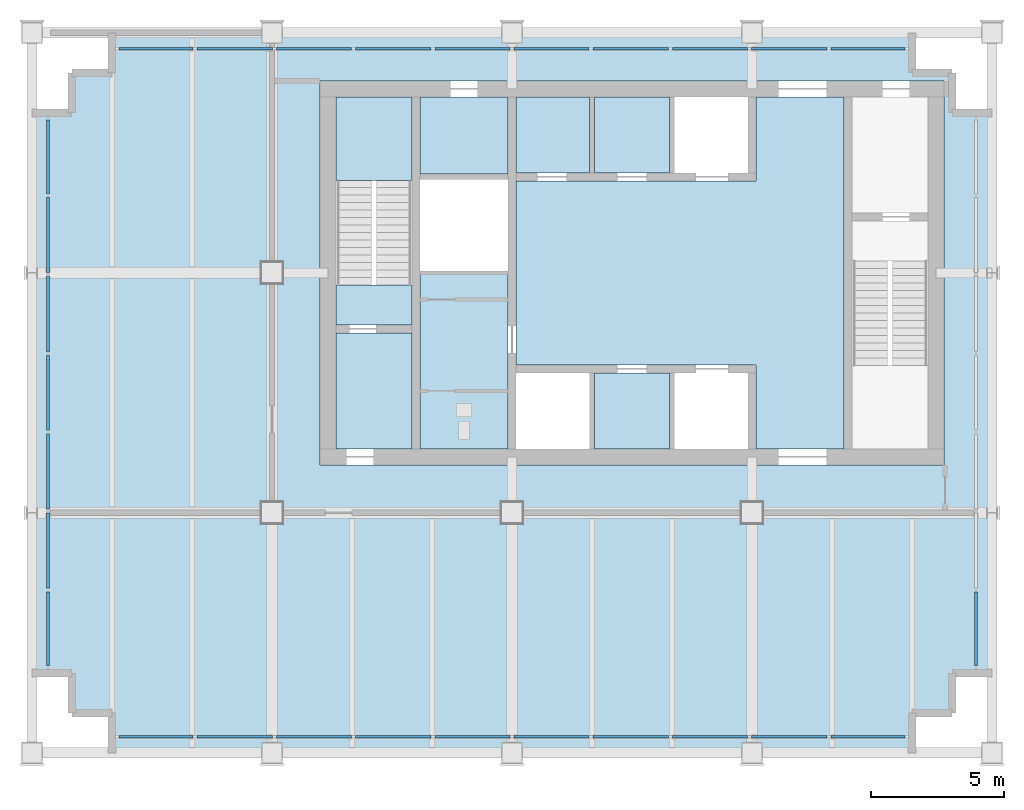
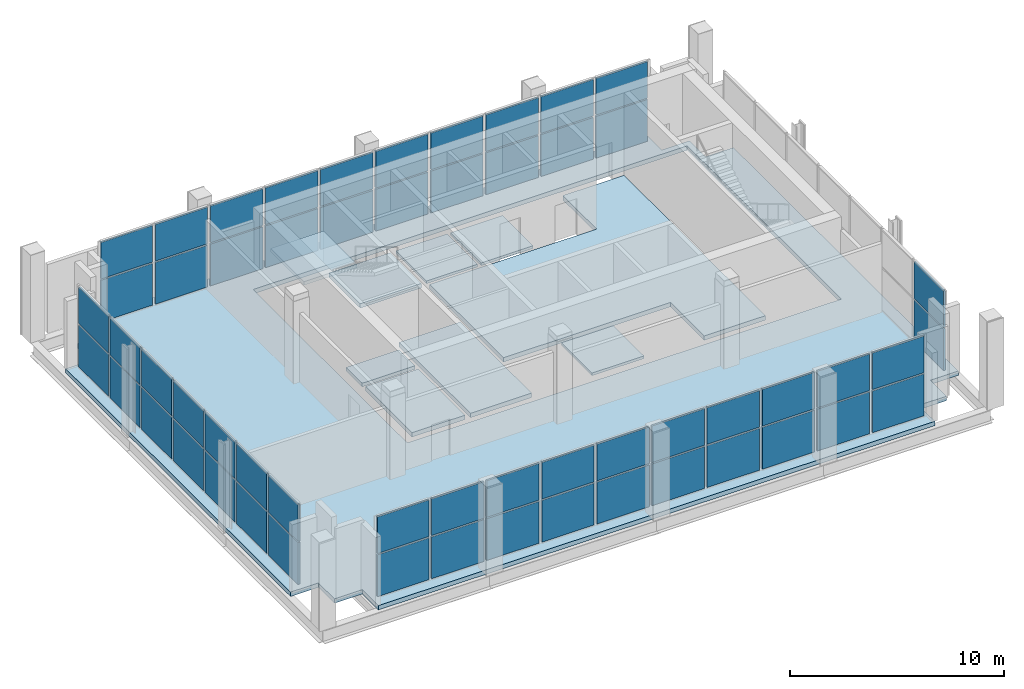
# One storey, part 6 of 10: 56 plates, 10 slabs, 5 elements without a shape of their own.
"""IFC4 building model written with IfcOpenShell, lengths in metres."""

from ifc_helpers import new_model, si_unit, direction, frame, origin, origin_2d, place, context, subcontext, project, spatial, polyline, rectangle, outline, extrude, material, layer, layer_set, type_object, element, aggregate, save


model = new_model("IFC4")

# Units and contexts
model_context = context("Model", 3, precision=1e-05, world=origin(), true_north=direction((0.0, 1.0)))
body_context = subcontext(model_context, "Body", "Model", "MODEL_VIEW")
ifc_project = project(units=[si_unit("LENGTHUNIT", "METRE"), si_unit("AREAUNIT", "SQUARE_METRE"), si_unit("VOLUMEUNIT", "CUBIC_METRE"), si_unit("PLANEANGLEUNIT", "RADIAN"), si_unit("MASSUNIT", "GRAM", prefix="KILO")], contexts=[model_context])

# Site, building, storey
site_placement = place(None, origin())
site = spatial("IfcSite", under=ifc_project, at=site_placement, CompositionType="ELEMENT")
building_placement = place(site_placement, origin())
building = spatial("IfcBuilding", under=site, at=building_placement, Name="Loomwork Tower", CompositionType="ELEMENT")
storey_placement = place(building_placement, frame((0.0, 0.0, 274.800048828125)))
storey = spatial("IfcBuildingStorey", under=building, at=storey_placement, Name="L75", CompositionType="ELEMENT", Elevation=274.800048828125)

# Slabs
ifc_material_1 = material(Name="Concrete 5000 psi (34 MPa) on composite metal deck", Category="concrete")
ifc_layer_1 = layer(ifc_material_1, 0.25)
ifc_layer_set_1 = layer_set([ifc_layer_1], Name="Floor slab 250")
slab_type_1 = type_object("IfcSlabType", Name="Floor slab 250", PredefinedType="FLOOR", material=ifc_layer_set_1)
slab_1_placement = place(storey_placement, frame((0.0, 0.0, -0.25)))
element("IfcSlab", 1, at=slab_1_placement, inside=storey, type_object=slab_type_1, Name="Floor slab L75", PredefinedType="FLOOR", context=body_context, shape_type="SweptSolid", body=[
    extrude(outline(polyline([(3.0, 1.5), (1.5, 1.5), (1.5, 3.0), (0.0, 3.0), (0.0, 24.0), (1.5, 24.0), (1.5, 25.5), (3.0, 25.5), (3.0, 27.0), (33.0, 27.0), (33.0, 25.5), (34.5, 25.5), (34.5, 24.0), (36.0, 24.0), (36.0, 3.0), (34.5, 3.0), (34.5, 1.5), (33.0, 1.5), (33.0, 0.0), (3.0, 0.0), (3.0, 1.5)]), holes=[polyline([(10.800048828125, 11.39990234375), (10.800048828125, 11.39990234375), (10.800048828125, 10.800048828125), (34.199951171875, 10.800048828125), (34.199951171875, 11.39990234375), (34.199951171875, 11.39990234375), (34.199951171875, 24.60009765625), (34.199951171875, 25.199951171875), (10.800048828125, 25.199951171875), (10.800048828125, 24.60009765625), (10.800048828125, 11.39990234375)])]), origin(), (0.0, 0.0, 1.0), 0.25),
])
slab_2_placement = place(storey_placement, frame((0.0, 0.0, -0.25)))
element("IfcSlab", 2, at=slab_2_placement, inside=storey, type_object=slab_type_1, Name="Floor slab L75", PredefinedType="FLOOR", context=body_context, shape_type="SweptSolid", body=[
    extrude(outline(polyline([(30.449951171875, 24.60009765625), (30.449951171875, 11.39990234375), (27.14990234375, 11.39990234375), (27.14990234375, 14.25), (27.14990234375, 14.550048828125), (18.14990234375, 14.550048828125), (18.14990234375, 21.449951171875), (27.14990234375, 21.449951171875), (27.14990234375, 21.75), (27.14990234375, 24.60009765625), (30.449951171875, 24.60009765625)])), origin(), (0.0, 0.0, 1.0), 0.25),
])
slab_3_placement = place(storey_placement, frame((0.0, 0.0, -0.25)))
element("IfcSlab", 3, at=slab_3_placement, inside=storey, type_object=slab_type_1, Name="Floor slab L75", PredefinedType="FLOOR", context=body_context, shape_type="SweptSolid", body=[
    extrude(outline(polyline([(14.550048828125, 11.39990234375), (14.550048828125, 18.074951171875), (17.85009765625, 18.074951171875), (17.85009765625, 11.39990234375), (14.550048828125, 11.39990234375)])), origin(), (0.0, 0.0, 1.0), 0.25),
])
slab_4_placement = place(storey_placement, frame((0.0, 0.0, -0.25)))
element("IfcSlab", 4, at=slab_4_placement, inside=storey, type_object=slab_type_1, Name="Floor slab L75", PredefinedType="FLOOR", context=body_context, shape_type="SweptSolid", body=[
    extrude(outline(polyline([(14.25, 15.75), (14.25, 11.39990234375), (11.39990234375, 11.39990234375), (11.39990234375, 15.75), (14.25, 15.75)])), origin(), (0.0, 0.0, 1.0), 0.25),
])
slab_5_placement = place(storey_placement, frame((0.0, 0.0, -0.25)))
element("IfcSlab", 5, at=slab_5_placement, inside=storey, type_object=slab_type_1, Name="Floor slab L75", PredefinedType="FLOOR", context=body_context, shape_type="SweptSolid", body=[
    extrude(outline(polyline([(14.550048828125, 21.699951171875), (14.550048828125, 24.60009765625), (17.85009765625, 24.60009765625), (17.85009765625, 21.699951171875), (14.550048828125, 21.699951171875)])), origin(), (0.0, 0.0, 1.0), 0.25),
])

# Curtain wall, plates
ifc_material_2 = material(Name="Aluminium louvre frame", Category="aluminium")
curtain_wall_type = type_object("IfcCurtainWallType", Name="Plant floor louvre screen", PredefinedType="NOTDEFINED", material=ifc_material_2)
curtain_wall_1_placement = place(storey_placement, origin())
curtain_wall_1 = element("IfcCurtainWall", 6, at=curtain_wall_1_placement, inside=storey, type_object=curtain_wall_type, Name="Plant floor louvre screen cw/S", PredefinedType="NOTDEFINED")
ifc_material_3 = material(Name="Aluminium louvre blade panel", Category="aluminium")
ifc_layer_2 = layer(ifc_material_3, 0.10009765625)
ifc_layer_set_2 = layer_set([ifc_layer_2], Name="Plant floor louvre screen panel")
plate_type = type_object("IfcPlateType", Name="Plant floor louvre screen panel", PredefinedType="CURTAIN_PANEL", material=ifc_layer_set_2)
plate_1_placement = place(storey_placement, frame((4.655029296875, 0.60009765625, 0.080078125), z_axis=(0.0, 0.0, 1.0), x_axis=(1.0, 0.0, 0.0)))
plate_1 = element("IfcPlate", 7, at=plate_1_placement, type_object=plate_type, Name="CW4 panel 1.1", PredefinedType="CURTAIN_PANEL", context=body_context, shape_type="SweptSolid", body=[
    extrude(rectangle(XDim=2.780029296875, YDim=0.10009765625, at=origin_2d()), origin(), (0.0, 0.0, 1.0), 2.3798828125),
])
plate_2_placement = place(storey_placement, frame((4.655029296875, 0.60009765625, 2.539794921875), z_axis=(0.0, 0.0, 1.0), x_axis=(1.0, 0.0, 0.0)))
plate_2 = element("IfcPlate", 8, at=plate_2_placement, type_object=plate_type, Name="CW4 panel 1.2", PredefinedType="CURTAIN_PANEL", context=body_context, shape_type="SweptSolid", body=[
    extrude(rectangle(XDim=2.780029296875, YDim=0.10009765625, at=origin_2d()), origin(), (0.0, 0.0, 1.0), 2.080078125),
])
plate_3_placement = place(storey_placement, frame((7.60498046875, 0.60009765625, 0.080078125), z_axis=(0.0, 0.0, 1.0), x_axis=(1.0, 0.0, 0.0)))
plate_3 = element("IfcPlate", 9, at=plate_3_placement, type_object=plate_type, Name="CW4 panel 2.1", PredefinedType="CURTAIN_PANEL", context=body_context, shape_type="SweptSolid", body=[
    extrude(rectangle(XDim=2.820068359375, YDim=0.10009765625, at=origin_2d()), origin(), (0.0, 0.0, 1.0), 2.3798828125),
])
plate_4_placement = place(storey_placement, frame((7.60498046875, 0.60009765625, 2.539794921875), z_axis=(0.0, 0.0, 1.0), x_axis=(1.0, 0.0, 0.0)))
plate_4 = element("IfcPlate", 10, at=plate_4_placement, type_object=plate_type, Name="CW4 panel 2.2", PredefinedType="CURTAIN_PANEL", context=body_context, shape_type="SweptSolid", body=[
    extrude(rectangle(XDim=2.820068359375, YDim=0.10009765625, at=origin_2d()), origin(), (0.0, 0.0, 1.0), 2.080078125),
])
plate_5_placement = place(storey_placement, frame((10.574951171875, 0.60009765625, 0.080078125), z_axis=(0.0, 0.0, 1.0), x_axis=(1.0, 0.0, 0.0)))
plate_5 = element("IfcPlate", 11, at=plate_5_placement, type_object=plate_type, Name="CW4 panel 3.1", PredefinedType="CURTAIN_PANEL", context=body_context, shape_type="SweptSolid", body=[
    extrude(rectangle(XDim=2.820068359375, YDim=0.10009765625, at=origin_2d()), origin(), (0.0, 0.0, 1.0), 2.3798828125),
])
plate_6_placement = place(storey_placement, frame((10.574951171875, 0.60009765625, 2.539794921875), z_axis=(0.0, 0.0, 1.0), x_axis=(1.0, 0.0, 0.0)))
plate_6 = element("IfcPlate", 12, at=plate_6_placement, type_object=plate_type, Name="CW4 panel 3.2", PredefinedType="CURTAIN_PANEL", context=body_context, shape_type="SweptSolid", body=[
    extrude(rectangle(XDim=2.820068359375, YDim=0.10009765625, at=origin_2d()), origin(), (0.0, 0.0, 1.0), 2.080078125),
])
plate_7_placement = place(storey_placement, frame((13.544921875, 0.60009765625, 0.080078125), z_axis=(0.0, 0.0, 1.0), x_axis=(1.0, 0.0, 0.0)))
plate_7 = element("IfcPlate", 13, at=plate_7_placement, type_object=plate_type, Name="CW4 panel 4.1", PredefinedType="CURTAIN_PANEL", context=body_context, shape_type="SweptSolid", body=[
    extrude(rectangle(XDim=2.820068359375, YDim=0.10009765625, at=origin_2d()), origin(), (0.0, 0.0, 1.0), 2.3798828125),
])
plate_8_placement = place(storey_placement, frame((13.544921875, 0.60009765625, 2.539794921875), z_axis=(0.0, 0.0, 1.0), x_axis=(1.0, 0.0, 0.0)))
plate_8 = element("IfcPlate", 14, at=plate_8_placement, type_object=plate_type, Name="CW4 panel 4.2", PredefinedType="CURTAIN_PANEL", context=body_context, shape_type="SweptSolid", body=[
    extrude(rectangle(XDim=2.820068359375, YDim=0.10009765625, at=origin_2d()), origin(), (0.0, 0.0, 1.0), 2.080078125),
])
plate_9_placement = place(storey_placement, frame((16.514892578125, 0.60009765625, 0.080078125), z_axis=(0.0, 0.0, 1.0), x_axis=(1.0, 0.0, 0.0)))
plate_9 = element("IfcPlate", 15, at=plate_9_placement, type_object=plate_type, Name="CW4 panel 5.1", PredefinedType="CURTAIN_PANEL", context=body_context, shape_type="SweptSolid", body=[
    extrude(rectangle(XDim=2.820068359375, YDim=0.10009765625, at=origin_2d()), origin(), (0.0, 0.0, 1.0), 2.3798828125),
])
plate_10_placement = place(storey_placement, frame((16.514892578125, 0.60009765625, 2.539794921875), z_axis=(0.0, 0.0, 1.0), x_axis=(1.0, 0.0, 0.0)))
plate_10 = element("IfcPlate", 16, at=plate_10_placement, type_object=plate_type, Name="CW4 panel 5.2", PredefinedType="CURTAIN_PANEL", context=body_context, shape_type="SweptSolid", body=[
    extrude(rectangle(XDim=2.820068359375, YDim=0.10009765625, at=origin_2d()), origin(), (0.0, 0.0, 1.0), 2.080078125),
])
plate_11_placement = place(storey_placement, frame((19.485107421875, 0.60009765625, 0.080078125), z_axis=(0.0, 0.0, 1.0), x_axis=(1.0, 0.0, 0.0)))
plate_11 = element("IfcPlate", 17, at=plate_11_placement, type_object=plate_type, Name="CW4 panel 6.1", PredefinedType="CURTAIN_PANEL", context=body_context, shape_type="SweptSolid", body=[
    extrude(rectangle(XDim=2.820068359375, YDim=0.10009765625, at=origin_2d()), origin(), (0.0, 0.0, 1.0), 2.3798828125),
])
plate_12_placement = place(storey_placement, frame((19.485107421875, 0.60009765625, 2.539794921875), z_axis=(0.0, 0.0, 1.0), x_axis=(1.0, 0.0, 0.0)))
plate_12 = element("IfcPlate", 18, at=plate_12_placement, type_object=plate_type, Name="CW4 panel 6.2", PredefinedType="CURTAIN_PANEL", context=body_context, shape_type="SweptSolid", body=[
    extrude(rectangle(XDim=2.820068359375, YDim=0.10009765625, at=origin_2d()), origin(), (0.0, 0.0, 1.0), 2.080078125),
])
plate_13_placement = place(storey_placement, frame((22.455078125, 0.60009765625, 0.080078125), z_axis=(0.0, 0.0, 1.0), x_axis=(1.0, 0.0, 0.0)))
plate_13 = element("IfcPlate", 19, at=plate_13_placement, type_object=plate_type, Name="CW4 panel 7.1", PredefinedType="CURTAIN_PANEL", context=body_context, shape_type="SweptSolid", body=[
    extrude(rectangle(XDim=2.820068359375, YDim=0.10009765625, at=origin_2d()), origin(), (0.0, 0.0, 1.0), 2.3798828125),
])
plate_14_placement = place(storey_placement, frame((22.455078125, 0.60009765625, 2.539794921875), z_axis=(0.0, 0.0, 1.0), x_axis=(1.0, 0.0, 0.0)))
plate_14 = element("IfcPlate", 20, at=plate_14_placement, type_object=plate_type, Name="CW4 panel 7.2", PredefinedType="CURTAIN_PANEL", context=body_context, shape_type="SweptSolid", body=[
    extrude(rectangle(XDim=2.820068359375, YDim=0.10009765625, at=origin_2d()), origin(), (0.0, 0.0, 1.0), 2.080078125),
])
plate_15_placement = place(storey_placement, frame((25.425048828125, 0.60009765625, 0.080078125), z_axis=(0.0, 0.0, 1.0), x_axis=(1.0, 0.0, 0.0)))
plate_15 = element("IfcPlate", 21, at=plate_15_placement, type_object=plate_type, Name="CW4 panel 8.1", PredefinedType="CURTAIN_PANEL", context=body_context, shape_type="SweptSolid", body=[
    extrude(rectangle(XDim=2.820068359375, YDim=0.10009765625, at=origin_2d()), origin(), (0.0, 0.0, 1.0), 2.3798828125),
])
plate_16_placement = place(storey_placement, frame((25.425048828125, 0.60009765625, 2.539794921875), z_axis=(0.0, 0.0, 1.0), x_axis=(1.0, 0.0, 0.0)))
plate_16 = element("IfcPlate", 22, at=plate_16_placement, type_object=plate_type, Name="CW4 panel 8.2", PredefinedType="CURTAIN_PANEL", context=body_context, shape_type="SweptSolid", body=[
    extrude(rectangle(XDim=2.820068359375, YDim=0.10009765625, at=origin_2d()), origin(), (0.0, 0.0, 1.0), 2.080078125),
])
plate_17_placement = place(storey_placement, frame((28.39501953125, 0.60009765625, 0.080078125), z_axis=(0.0, 0.0, 1.0), x_axis=(1.0, 0.0, 0.0)))
plate_17 = element("IfcPlate", 23, at=plate_17_placement, type_object=plate_type, Name="CW4 panel 9.1", PredefinedType="CURTAIN_PANEL", context=body_context, shape_type="SweptSolid", body=[
    extrude(rectangle(XDim=2.820068359375, YDim=0.10009765625, at=origin_2d()), origin(), (0.0, 0.0, 1.0), 2.3798828125),
])
plate_18_placement = place(storey_placement, frame((28.39501953125, 0.60009765625, 2.539794921875), z_axis=(0.0, 0.0, 1.0), x_axis=(1.0, 0.0, 0.0)))
plate_18 = element("IfcPlate", 24, at=plate_18_placement, type_object=plate_type, Name="CW4 panel 9.2", PredefinedType="CURTAIN_PANEL", context=body_context, shape_type="SweptSolid", body=[
    extrude(rectangle(XDim=2.820068359375, YDim=0.10009765625, at=origin_2d()), origin(), (0.0, 0.0, 1.0), 2.080078125),
])
plate_19_placement = place(storey_placement, frame((31.344970703125, 0.60009765625, 0.080078125), z_axis=(0.0, 0.0, 1.0), x_axis=(1.0, 0.0, 0.0)))
plate_19 = element("IfcPlate", 25, at=plate_19_placement, type_object=plate_type, Name="CW4 panel 10.1", PredefinedType="CURTAIN_PANEL", context=body_context, shape_type="SweptSolid", body=[
    extrude(rectangle(XDim=2.780029296875, YDim=0.10009765625, at=origin_2d()), origin(), (0.0, 0.0, 1.0), 2.3798828125),
])
plate_20_placement = place(storey_placement, frame((31.344970703125, 0.60009765625, 2.539794921875), z_axis=(0.0, 0.0, 1.0), x_axis=(1.0, 0.0, 0.0)))
plate_20 = element("IfcPlate", 26, at=plate_20_placement, type_object=plate_type, Name="CW4 panel 10.2", PredefinedType="CURTAIN_PANEL", context=body_context, shape_type="SweptSolid", body=[
    extrude(rectangle(XDim=2.780029296875, YDim=0.10009765625, at=origin_2d()), origin(), (0.0, 0.0, 1.0), 2.080078125),
])
aggregate(curtain_wall_1, [plate_1, plate_2, plate_3, plate_4, plate_5, plate_6, plate_7, plate_8, plate_9, plate_10, plate_11, plate_12, plate_13, plate_14, plate_15, plate_16, plate_17, plate_18, plate_19, plate_20])

curtain_wall_2_placement = place(storey_placement, origin())
curtain_wall_2 = element("IfcCurtainWall", 27, at=curtain_wall_2_placement, inside=storey, type_object=curtain_wall_type, Name="Plant floor louvre screen cw/E", PredefinedType="NOTDEFINED")
plate_21_placement = place(storey_placement, frame((35.39990234375, 4.648681640625, 0.080078125), z_axis=(0.0, 0.0, 1.0), x_axis=(0.0, 1.0, 0.0)))
plate_21 = element("IfcPlate", 28, at=plate_21_placement, type_object=plate_type, Name="CW4 panel 1.1", PredefinedType="CURTAIN_PANEL", context=body_context, shape_type="SweptSolid", body=[
    extrude(rectangle(XDim=2.76708984375, YDim=0.10009765625, at=origin_2d()), origin(), (0.0, 0.0, 1.0), 2.3798828125),
])
plate_22_placement = place(storey_placement, frame((35.39990234375, 4.648681640625, 2.539794921875), z_axis=(0.0, 0.0, 1.0), x_axis=(0.0, 1.0, 0.0)))
plate_22 = element("IfcPlate", 29, at=plate_22_placement, type_object=plate_type, Name="CW4 panel 1.2", PredefinedType="CURTAIN_PANEL", context=body_context, shape_type="SweptSolid", body=[
    extrude(rectangle(XDim=2.76708984375, YDim=0.10009765625, at=origin_2d()), origin(), (0.0, 0.0, 1.0), 2.080078125),
])
aggregate(curtain_wall_2, [plate_21, plate_22])

curtain_wall_3_placement = place(storey_placement, origin())
curtain_wall_3 = element("IfcCurtainWall", 30, at=curtain_wall_3_placement, inside=storey, type_object=curtain_wall_type, Name="Plant floor louvre screen cw/N", PredefinedType="NOTDEFINED")
plate_23_placement = place(storey_placement, frame((31.344970703125, 26.39990234375, 0.080078125), z_axis=(0.0, 0.0, 1.0), x_axis=(-1.0, 0.0, 0.0)))
plate_23 = element("IfcPlate", 31, at=plate_23_placement, type_object=plate_type, Name="CW4 panel 1.1", PredefinedType="CURTAIN_PANEL", context=body_context, shape_type="SweptSolid", body=[
    extrude(rectangle(XDim=2.780029296875, YDim=0.10009765625, at=origin_2d()), origin(), (0.0, 0.0, 1.0), 2.3798828125),
])
plate_24_placement = place(storey_placement, frame((31.344970703125, 26.39990234375, 2.539794921875), z_axis=(0.0, 0.0, 1.0), x_axis=(-1.0, 0.0, 0.0)))
plate_24 = element("IfcPlate", 32, at=plate_24_placement, type_object=plate_type, Name="CW4 panel 1.2", PredefinedType="CURTAIN_PANEL", context=body_context, shape_type="SweptSolid", body=[
    extrude(rectangle(XDim=2.780029296875, YDim=0.10009765625, at=origin_2d()), origin(), (0.0, 0.0, 1.0), 2.080078125),
])
plate_25_placement = place(storey_placement, frame((28.39501953125, 26.39990234375, 0.080078125), z_axis=(0.0, 0.0, 1.0), x_axis=(-1.0, 0.0, 0.0)))
plate_25 = element("IfcPlate", 33, at=plate_25_placement, type_object=plate_type, Name="CW4 panel 2.1", PredefinedType="CURTAIN_PANEL", context=body_context, shape_type="SweptSolid", body=[
    extrude(rectangle(XDim=2.820068359375, YDim=0.10009765625, at=origin_2d()), origin(), (0.0, 0.0, 1.0), 2.3798828125),
])
plate_26_placement = place(storey_placement, frame((28.39501953125, 26.39990234375, 2.539794921875), z_axis=(0.0, 0.0, 1.0), x_axis=(-1.0, 0.0, 0.0)))
plate_26 = element("IfcPlate", 34, at=plate_26_placement, type_object=plate_type, Name="CW4 panel 2.2", PredefinedType="CURTAIN_PANEL", context=body_context, shape_type="SweptSolid", body=[
    extrude(rectangle(XDim=2.820068359375, YDim=0.10009765625, at=origin_2d()), origin(), (0.0, 0.0, 1.0), 2.080078125),
])
plate_27_placement = place(storey_placement, frame((25.425048828125, 26.39990234375, 0.080078125), z_axis=(0.0, 0.0, 1.0), x_axis=(-1.0, 0.0, 0.0)))
plate_27 = element("IfcPlate", 35, at=plate_27_placement, type_object=plate_type, Name="CW4 panel 3.1", PredefinedType="CURTAIN_PANEL", context=body_context, shape_type="SweptSolid", body=[
    extrude(rectangle(XDim=2.820068359375, YDim=0.10009765625, at=origin_2d()), origin(), (0.0, 0.0, 1.0), 2.3798828125),
])
plate_28_placement = place(storey_placement, frame((25.425048828125, 26.39990234375, 2.539794921875), z_axis=(0.0, 0.0, 1.0), x_axis=(-1.0, 0.0, 0.0)))
plate_28 = element("IfcPlate", 36, at=plate_28_placement, type_object=plate_type, Name="CW4 panel 3.2", PredefinedType="CURTAIN_PANEL", context=body_context, shape_type="SweptSolid", body=[
    extrude(rectangle(XDim=2.820068359375, YDim=0.10009765625, at=origin_2d()), origin(), (0.0, 0.0, 1.0), 2.080078125),
])
plate_29_placement = place(storey_placement, frame((22.455078125, 26.39990234375, 0.080078125), z_axis=(0.0, 0.0, 1.0), x_axis=(-1.0, 0.0, 0.0)))
plate_29 = element("IfcPlate", 37, at=plate_29_placement, type_object=plate_type, Name="CW4 panel 4.1", PredefinedType="CURTAIN_PANEL", context=body_context, shape_type="SweptSolid", body=[
    extrude(rectangle(XDim=2.820068359375, YDim=0.10009765625, at=origin_2d()), origin(), (0.0, 0.0, 1.0), 2.3798828125),
])
plate_30_placement = place(storey_placement, frame((22.455078125, 26.39990234375, 2.539794921875), z_axis=(0.0, 0.0, 1.0), x_axis=(-1.0, 0.0, 0.0)))
plate_30 = element("IfcPlate", 38, at=plate_30_placement, type_object=plate_type, Name="CW4 panel 4.2", PredefinedType="CURTAIN_PANEL", context=body_context, shape_type="SweptSolid", body=[
    extrude(rectangle(XDim=2.820068359375, YDim=0.10009765625, at=origin_2d()), origin(), (0.0, 0.0, 1.0), 2.080078125),
])
plate_31_placement = place(storey_placement, frame((19.485107421875, 26.39990234375, 0.080078125), z_axis=(0.0, 0.0, 1.0), x_axis=(-1.0, 0.0, 0.0)))
plate_31 = element("IfcPlate", 39, at=plate_31_placement, type_object=plate_type, Name="CW4 panel 5.1", PredefinedType="CURTAIN_PANEL", context=body_context, shape_type="SweptSolid", body=[
    extrude(rectangle(XDim=2.820068359375, YDim=0.10009765625, at=origin_2d()), origin(), (0.0, 0.0, 1.0), 2.3798828125),
])
plate_32_placement = place(storey_placement, frame((19.485107421875, 26.39990234375, 2.539794921875), z_axis=(0.0, 0.0, 1.0), x_axis=(-1.0, 0.0, 0.0)))
plate_32 = element("IfcPlate", 40, at=plate_32_placement, type_object=plate_type, Name="CW4 panel 5.2", PredefinedType="CURTAIN_PANEL", context=body_context, shape_type="SweptSolid", body=[
    extrude(rectangle(XDim=2.820068359375, YDim=0.10009765625, at=origin_2d()), origin(), (0.0, 0.0, 1.0), 2.080078125),
])
plate_33_placement = place(storey_placement, frame((16.514892578125, 26.39990234375, 0.080078125), z_axis=(0.0, 0.0, 1.0), x_axis=(-1.0, 0.0, 0.0)))
plate_33 = element("IfcPlate", 41, at=plate_33_placement, type_object=plate_type, Name="CW4 panel 6.1", PredefinedType="CURTAIN_PANEL", context=body_context, shape_type="SweptSolid", body=[
    extrude(rectangle(XDim=2.820068359375, YDim=0.10009765625, at=origin_2d()), origin(), (0.0, 0.0, 1.0), 2.3798828125),
])
plate_34_placement = place(storey_placement, frame((16.514892578125, 26.39990234375, 2.539794921875), z_axis=(0.0, 0.0, 1.0), x_axis=(-1.0, 0.0, 0.0)))
plate_34 = element("IfcPlate", 42, at=plate_34_placement, type_object=plate_type, Name="CW4 panel 6.2", PredefinedType="CURTAIN_PANEL", context=body_context, shape_type="SweptSolid", body=[
    extrude(rectangle(XDim=2.820068359375, YDim=0.10009765625, at=origin_2d()), origin(), (0.0, 0.0, 1.0), 2.080078125),
])
plate_35_placement = place(storey_placement, frame((13.544921875, 26.39990234375, 0.080078125), z_axis=(0.0, 0.0, 1.0), x_axis=(-1.0, 0.0, 0.0)))
plate_35 = element("IfcPlate", 43, at=plate_35_placement, type_object=plate_type, Name="CW4 panel 7.1", PredefinedType="CURTAIN_PANEL", context=body_context, shape_type="SweptSolid", body=[
    extrude(rectangle(XDim=2.820068359375, YDim=0.10009765625, at=origin_2d()), origin(), (0.0, 0.0, 1.0), 2.3798828125),
])
plate_36_placement = place(storey_placement, frame((13.544921875, 26.39990234375, 2.539794921875), z_axis=(0.0, 0.0, 1.0), x_axis=(-1.0, 0.0, 0.0)))
plate_36 = element("IfcPlate", 44, at=plate_36_placement, type_object=plate_type, Name="CW4 panel 7.2", PredefinedType="CURTAIN_PANEL", context=body_context, shape_type="SweptSolid", body=[
    extrude(rectangle(XDim=2.820068359375, YDim=0.10009765625, at=origin_2d()), origin(), (0.0, 0.0, 1.0), 2.080078125),
])
plate_37_placement = place(storey_placement, frame((10.574951171875, 26.39990234375, 0.080078125), z_axis=(0.0, 0.0, 1.0), x_axis=(-1.0, 0.0, 0.0)))
plate_37 = element("IfcPlate", 45, at=plate_37_placement, type_object=plate_type, Name="CW4 panel 8.1", PredefinedType="CURTAIN_PANEL", context=body_context, shape_type="SweptSolid", body=[
    extrude(rectangle(XDim=2.820068359375, YDim=0.10009765625, at=origin_2d()), origin(), (0.0, 0.0, 1.0), 2.3798828125),
])
plate_38_placement = place(storey_placement, frame((10.574951171875, 26.39990234375, 2.539794921875), z_axis=(0.0, 0.0, 1.0), x_axis=(-1.0, 0.0, 0.0)))
plate_38 = element("IfcPlate", 46, at=plate_38_placement, type_object=plate_type, Name="CW4 panel 8.2", PredefinedType="CURTAIN_PANEL", context=body_context, shape_type="SweptSolid", body=[
    extrude(rectangle(XDim=2.820068359375, YDim=0.10009765625, at=origin_2d()), origin(), (0.0, 0.0, 1.0), 2.080078125),
])
plate_39_placement = place(storey_placement, frame((7.60498046875, 26.39990234375, 0.080078125), z_axis=(0.0, 0.0, 1.0), x_axis=(-1.0, 0.0, 0.0)))
plate_39 = element("IfcPlate", 47, at=plate_39_placement, type_object=plate_type, Name="CW4 panel 9.1", PredefinedType="CURTAIN_PANEL", context=body_context, shape_type="SweptSolid", body=[
    extrude(rectangle(XDim=2.820068359375, YDim=0.10009765625, at=origin_2d()), origin(), (0.0, 0.0, 1.0), 2.3798828125),
])
plate_40_placement = place(storey_placement, frame((7.60498046875, 26.39990234375, 2.539794921875), z_axis=(0.0, 0.0, 1.0), x_axis=(-1.0, 0.0, 0.0)))
plate_40 = element("IfcPlate", 48, at=plate_40_placement, type_object=plate_type, Name="CW4 panel 9.2", PredefinedType="CURTAIN_PANEL", context=body_context, shape_type="SweptSolid", body=[
    extrude(rectangle(XDim=2.820068359375, YDim=0.10009765625, at=origin_2d()), origin(), (0.0, 0.0, 1.0), 2.080078125),
])
plate_41_placement = place(storey_placement, frame((4.655029296875, 26.39990234375, 0.080078125), z_axis=(0.0, 0.0, 1.0), x_axis=(-1.0, 0.0, 0.0)))
plate_41 = element("IfcPlate", 49, at=plate_41_placement, type_object=plate_type, Name="CW4 panel 10.1", PredefinedType="CURTAIN_PANEL", context=body_context, shape_type="SweptSolid", body=[
    extrude(rectangle(XDim=2.780029296875, YDim=0.10009765625, at=origin_2d()), origin(), (0.0, 0.0, 1.0), 2.3798828125),
])
plate_42_placement = place(storey_placement, frame((4.655029296875, 26.39990234375, 2.539794921875), z_axis=(0.0, 0.0, 1.0), x_axis=(-1.0, 0.0, 0.0)))
plate_42 = element("IfcPlate", 50, at=plate_42_placement, type_object=plate_type, Name="CW4 panel 10.2", PredefinedType="CURTAIN_PANEL", context=body_context, shape_type="SweptSolid", body=[
    extrude(rectangle(XDim=2.780029296875, YDim=0.10009765625, at=origin_2d()), origin(), (0.0, 0.0, 1.0), 2.080078125),
])
aggregate(curtain_wall_3, [plate_23, plate_24, plate_25, plate_26, plate_27, plate_28, plate_29, plate_30, plate_31, plate_32, plate_33, plate_34, plate_35, plate_36, plate_37, plate_38, plate_39, plate_40, plate_41, plate_42])

curtain_wall_4_placement = place(storey_placement, origin())
curtain_wall_4 = element("IfcCurtainWall", 51, at=curtain_wall_4_placement, inside=storey, type_object=curtain_wall_type, Name="Plant floor louvre screen cw/W", PredefinedType="NOTDEFINED")
plate_43_placement = place(storey_placement, frame((0.60009765625, 22.351318359375, 0.080078125), z_axis=(0.0, 0.0, 1.0), x_axis=(0.0, -1.0, 0.0)))
plate_43 = element("IfcPlate", 52, at=plate_43_placement, type_object=plate_type, Name="CW4 panel 1.1", PredefinedType="CURTAIN_PANEL", context=body_context, shape_type="SweptSolid", body=[
    extrude(rectangle(XDim=2.76708984375, YDim=0.10009765625, at=origin_2d()), origin(), (0.0, 0.0, 1.0), 2.3798828125),
])
plate_44_placement = place(storey_placement, frame((0.60009765625, 22.351318359375, 2.539794921875), z_axis=(0.0, 0.0, 1.0), x_axis=(0.0, -1.0, 0.0)))
plate_44 = element("IfcPlate", 53, at=plate_44_placement, type_object=plate_type, Name="CW4 panel 1.2", PredefinedType="CURTAIN_PANEL", context=body_context, shape_type="SweptSolid", body=[
    extrude(rectangle(XDim=2.76708984375, YDim=0.10009765625, at=origin_2d()), origin(), (0.0, 0.0, 1.0), 2.080078125),
])
plate_45_placement = place(storey_placement, frame((0.60009765625, 19.414306640625, 0.080078125), z_axis=(0.0, 0.0, 1.0), x_axis=(0.0, -1.0, 0.0)))
plate_45 = element("IfcPlate", 54, at=plate_45_placement, type_object=plate_type, Name="CW4 panel 2.1", PredefinedType="CURTAIN_PANEL", context=body_context, shape_type="SweptSolid", body=[
    extrude(rectangle(XDim=2.80712890625, YDim=0.10009765625, at=origin_2d()), origin(), (0.0, 0.0, 1.0), 2.3798828125),
])
plate_46_placement = place(storey_placement, frame((0.60009765625, 19.414306640625, 2.539794921875), z_axis=(0.0, 0.0, 1.0), x_axis=(0.0, -1.0, 0.0)))
plate_46 = element("IfcPlate", 55, at=plate_46_placement, type_object=plate_type, Name="CW4 panel 2.2", PredefinedType="CURTAIN_PANEL", context=body_context, shape_type="SweptSolid", body=[
    extrude(rectangle(XDim=2.80712890625, YDim=0.10009765625, at=origin_2d()), origin(), (0.0, 0.0, 1.0), 2.080078125),
])
plate_47_placement = place(storey_placement, frame((0.60009765625, 16.45703125, 0.080078125), z_axis=(0.0, 0.0, 1.0), x_axis=(0.0, -1.0, 0.0)))
plate_47 = element("IfcPlate", 56, at=plate_47_placement, type_object=plate_type, Name="CW4 panel 3.1", PredefinedType="CURTAIN_PANEL", context=body_context, shape_type="SweptSolid", body=[
    extrude(rectangle(XDim=2.80712890625, YDim=0.10009765625, at=origin_2d()), origin(), (0.0, 0.0, 1.0), 2.3798828125),
])
plate_48_placement = place(storey_placement, frame((0.60009765625, 16.45703125, 2.539794921875), z_axis=(0.0, 0.0, 1.0), x_axis=(0.0, -1.0, 0.0)))
plate_48 = element("IfcPlate", 57, at=plate_48_placement, type_object=plate_type, Name="CW4 panel 3.2", PredefinedType="CURTAIN_PANEL", context=body_context, shape_type="SweptSolid", body=[
    extrude(rectangle(XDim=2.80712890625, YDim=0.10009765625, at=origin_2d()), origin(), (0.0, 0.0, 1.0), 2.080078125),
])
plate_49_placement = place(storey_placement, frame((0.60009765625, 13.5, 0.080078125), z_axis=(0.0, 0.0, 1.0), x_axis=(0.0, -1.0, 0.0)))
plate_49 = element("IfcPlate", 58, at=plate_49_placement, type_object=plate_type, Name="CW4 panel 4.1", PredefinedType="CURTAIN_PANEL", context=body_context, shape_type="SweptSolid", body=[
    extrude(rectangle(XDim=2.80712890625, YDim=0.10009765625, at=origin_2d()), origin(), (0.0, 0.0, 1.0), 2.3798828125),
])
plate_50_placement = place(storey_placement, frame((0.60009765625, 13.5, 2.539794921875), z_axis=(0.0, 0.0, 1.0), x_axis=(0.0, -1.0, 0.0)))
plate_50 = element("IfcPlate", 59, at=plate_50_placement, type_object=plate_type, Name="CW4 panel 4.2", PredefinedType="CURTAIN_PANEL", context=body_context, shape_type="SweptSolid", body=[
    extrude(rectangle(XDim=2.80712890625, YDim=0.10009765625, at=origin_2d()), origin(), (0.0, 0.0, 1.0), 2.080078125),
])
plate_51_placement = place(storey_placement, frame((0.60009765625, 10.54296875, 0.080078125), z_axis=(0.0, 0.0, 1.0), x_axis=(0.0, -1.0, 0.0)))
plate_51 = element("IfcPlate", 60, at=plate_51_placement, type_object=plate_type, Name="CW4 panel 5.1", PredefinedType="CURTAIN_PANEL", context=body_context, shape_type="SweptSolid", body=[
    extrude(rectangle(XDim=2.80712890625, YDim=0.10009765625, at=origin_2d()), origin(), (0.0, 0.0, 1.0), 2.3798828125),
])
plate_52_placement = place(storey_placement, frame((0.60009765625, 10.54296875, 2.539794921875), z_axis=(0.0, 0.0, 1.0), x_axis=(0.0, -1.0, 0.0)))
plate_52 = element("IfcPlate", 61, at=plate_52_placement, type_object=plate_type, Name="CW4 panel 5.2", PredefinedType="CURTAIN_PANEL", context=body_context, shape_type="SweptSolid", body=[
    extrude(rectangle(XDim=2.80712890625, YDim=0.10009765625, at=origin_2d()), origin(), (0.0, 0.0, 1.0), 2.080078125),
])
plate_53_placement = place(storey_placement, frame((0.60009765625, 7.585693359375, 0.080078125), z_axis=(0.0, 0.0, 1.0), x_axis=(0.0, -1.0, 0.0)))
plate_53 = element("IfcPlate", 62, at=plate_53_placement, type_object=plate_type, Name="CW4 panel 6.1", PredefinedType="CURTAIN_PANEL", context=body_context, shape_type="SweptSolid", body=[
    extrude(rectangle(XDim=2.80712890625, YDim=0.10009765625, at=origin_2d()), origin(), (0.0, 0.0, 1.0), 2.3798828125),
])
plate_54_placement = place(storey_placement, frame((0.60009765625, 7.585693359375, 2.539794921875), z_axis=(0.0, 0.0, 1.0), x_axis=(0.0, -1.0, 0.0)))
plate_54 = element("IfcPlate", 63, at=plate_54_placement, type_object=plate_type, Name="CW4 panel 6.2", PredefinedType="CURTAIN_PANEL", context=body_context, shape_type="SweptSolid", body=[
    extrude(rectangle(XDim=2.80712890625, YDim=0.10009765625, at=origin_2d()), origin(), (0.0, 0.0, 1.0), 2.080078125),
])
plate_55_placement = place(storey_placement, frame((0.60009765625, 4.648681640625, 0.080078125), z_axis=(0.0, 0.0, 1.0), x_axis=(0.0, -1.0, 0.0)))
plate_55 = element("IfcPlate", 64, at=plate_55_placement, type_object=plate_type, Name="CW4 panel 7.1", PredefinedType="CURTAIN_PANEL", context=body_context, shape_type="SweptSolid", body=[
    extrude(rectangle(XDim=2.76708984375, YDim=0.10009765625, at=origin_2d()), origin(), (0.0, 0.0, 1.0), 2.3798828125),
])
plate_56_placement = place(storey_placement, frame((0.60009765625, 4.648681640625, 2.539794921875), z_axis=(0.0, 0.0, 1.0), x_axis=(0.0, -1.0, 0.0)))
plate_56 = element("IfcPlate", 65, at=plate_56_placement, type_object=plate_type, Name="CW4 panel 7.2", PredefinedType="CURTAIN_PANEL", context=body_context, shape_type="SweptSolid", body=[
    extrude(rectangle(XDim=2.76708984375, YDim=0.10009765625, at=origin_2d()), origin(), (0.0, 0.0, 1.0), 2.080078125),
])
aggregate(curtain_wall_4, [plate_43, plate_44, plate_45, plate_46, plate_47, plate_48, plate_49, plate_50, plate_51, plate_52, plate_53, plate_54, plate_55, plate_56])

# Slabs
ifc_material_4 = material(Name="Concrete 5000 psi (34 MPa) on composite metal deck", Category="concrete")
ifc_layer_3 = layer(ifc_material_4, 0.14990234375)
ifc_layer_set_3 = layer_set([ifc_layer_3], Name="Shaft infill floor 150")
slab_type_2 = type_object("IfcSlabType", Name="Shaft infill floor 150", PredefinedType="FLOOR", material=ifc_layer_set_3)
slab_6_placement = place(storey_placement, frame((0.0, 0.0, -0.150146484375)))
element("IfcSlab", 66, at=slab_6_placement, inside=storey, type_object=slab_type_2, Name="Shaft infill floor LS1 L75", PredefinedType="FLOOR", context=body_context, shape_type="SweptSolid", body=[
    extrude(outline(polyline([(18.14990234375, 21.75), (20.89990234375, 21.75), (20.89990234375, 24.60009765625), (18.14990234375, 24.60009765625), (18.14990234375, 21.75)])), origin(), (0.0, 0.0, 1.0), 0.150146484375),
])
slab_7_placement = place(storey_placement, frame((0.0, 0.0, -0.150146484375)))
element("IfcSlab", 67, at=slab_7_placement, inside=storey, type_object=slab_type_2, Name="Shaft infill floor LS2 L75", PredefinedType="FLOOR", context=body_context, shape_type="SweptSolid", body=[
    extrude(outline(polyline([(21.10009765625, 21.75), (23.89990234375, 21.75), (23.89990234375, 24.60009765625), (21.10009765625, 24.60009765625), (21.10009765625, 21.75)])), origin(), (0.0, 0.0, 1.0), 0.150146484375),
])
slab_8_placement = place(storey_placement, frame((0.0, 0.0, -0.150146484375)))
element("IfcSlab", 68, at=slab_8_placement, inside=storey, type_object=slab_type_2, Name="Shaft infill floor S2 L75", PredefinedType="FLOOR", context=body_context, shape_type="SweptSolid", body=[
    extrude(outline(polyline([(21.10009765625, 11.39990234375), (23.89990234375, 11.39990234375), (23.89990234375, 14.25), (21.10009765625, 14.25), (21.10009765625, 11.39990234375)])), origin(), (0.0, 0.0, 1.0), 0.150146484375),
])

# Stair, slabs
ifc_material_5 = material(Name="Concrete 5000 psi (34 MPa) precast stair", Category="concrete")
stair_type = type_object("IfcStairType", Name="Stair ST-A 30 risers 2850 wide", PredefinedType="HALF_TURN_STAIR", material=ifc_material_5)
stair_placement = place(storey_placement, origin())
stair = element("IfcStair", 69, at=stair_placement, inside=storey, type_object=stair_type, Name="Stair A L75", PredefinedType="HALF_TURN_STAIR")
ifc_material_6 = material(Name="Concrete 5000 psi (34 MPa)", Category="concrete")
ifc_layer_4 = layer(ifc_material_6, 0.199951171875)
ifc_layer_set_4 = layer_set([ifc_layer_4], Name="Stair landing 200")
slab_type_3 = type_object("IfcSlabType", Name="Stair landing 200", PredefinedType="LANDING", material=ifc_layer_set_4)
slab_9_placement = place(storey_placement, frame((0.0, 0.0, -0.199951171875)))
slab_9 = element("IfcSlab", 70, at=slab_9_placement, type_object=slab_type_3, Name="ST-A landing 1", PredefinedType="LANDING", context=body_context, shape_type="SweptSolid", body=[
    extrude(outline(polyline([(11.39990234375, 16.050048828125), (14.25, 16.050048828125), (14.25, 17.550048828125), (11.39990234375, 17.550048828125), (11.39990234375, 16.050048828125)])), origin(), (0.0, 0.0, 1.0), 0.199951171875),
])
slab_10_placement = place(storey_placement, frame((0.0, 0.0, 2.300048828125)))
slab_10 = element("IfcSlab", 71, at=slab_10_placement, type_object=slab_type_3, Name="ST-A landing 2", PredefinedType="LANDING", context=body_context, shape_type="SweptSolid", body=[
    extrude(outline(polyline([(11.39990234375, 21.469970703125), (14.25, 21.469970703125), (14.25, 24.60009765625), (11.39990234375, 24.60009765625), (11.39990234375, 21.469970703125)])), origin(), (0.0, 0.0, 1.0), 0.199951171875),
])
aggregate(stair, [slab_9, slab_10])

save(model, "model.ifc")
